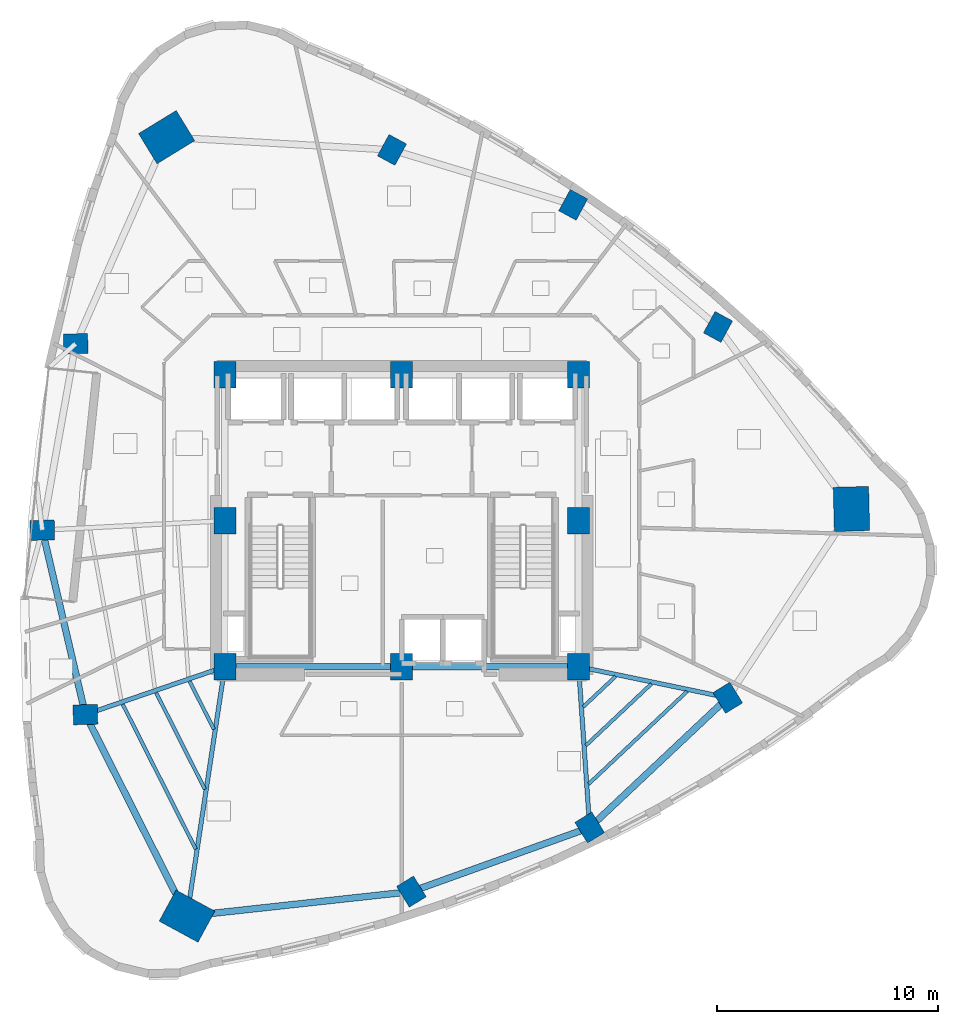
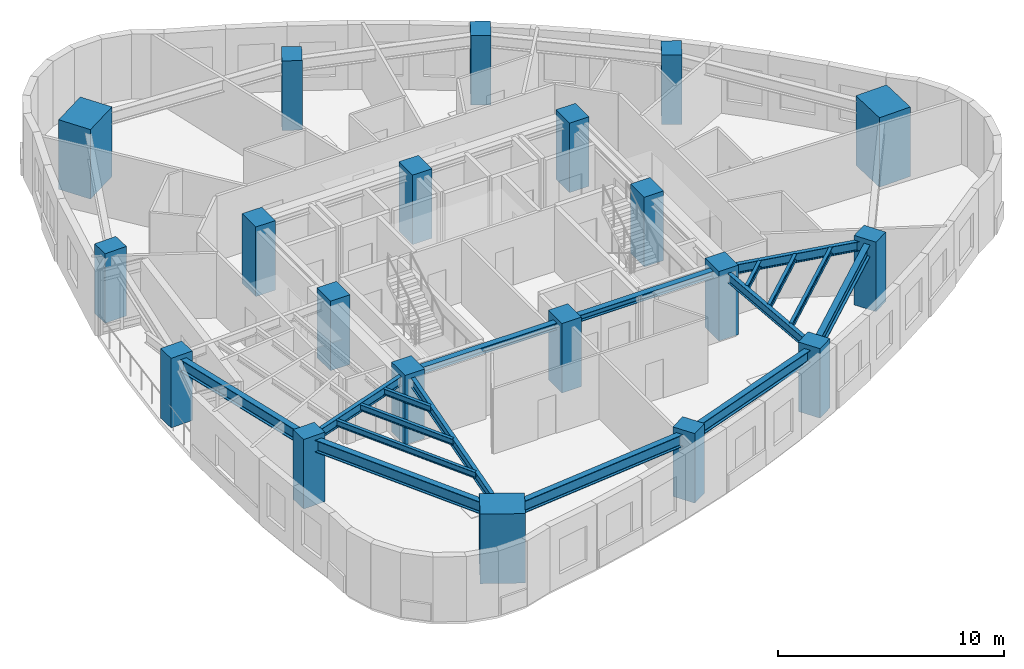
# One storey, part 1 of 12: 20 columns, 17 beams.
"""IFC4 building model written with IfcOpenShell, lengths in metres."""

from ifc_helpers import new_model, si_unit, direction, frame, origin, origin_2d, place, context, subcontext, project, spatial, rectangle, i_section, extrude, material, material_profile, profile_set, type_object, element, save


model = new_model("IFC4")

# Units and contexts
model_context = context("Model", 3, precision=1e-05, world=origin(), true_north=direction((0.0, 1.0)))
body_context = subcontext(model_context, "Body", "Model", "MODEL_VIEW")
ifc_project = project(units=[si_unit("LENGTHUNIT", "METRE"), si_unit("AREAUNIT", "SQUARE_METRE"), si_unit("VOLUMEUNIT", "CUBIC_METRE"), si_unit("PLANEANGLEUNIT", "RADIAN"), si_unit("MASSUNIT", "GRAM", prefix="KILO")], contexts=[model_context])

# Site, building, storey
site_placement = place(None, origin())
site = spatial("IfcSite", under=ifc_project, at=site_placement, CompositionType="ELEMENT")
building_placement = place(site_placement, origin())
building = spatial("IfcBuilding", under=site, at=building_placement, Name="Ndelora Gate Hotel", CompositionType="ELEMENT")
storey_placement = place(building_placement, frame((0.0, 0.0, 101.0)))
storey = spatial("IfcBuildingStorey", under=building, at=storey_placement, Name="L24", CompositionType="ELEMENT", Elevation=101.0)

# Columns
ifc_material_1 = material(Name="Concrete C60/75", Category="concrete")
ifc_material_profile_1 = material_profile(ifc_material_1, rectangle(XDim=1.0, YDim=1.199951171875, at=origin_2d()), Name="RC 1200x1000")
ifc_profile_set_1 = profile_set([ifc_material_profile_1], Name="Concrete C60/75")
column_type_1 = type_object("IfcColumnType", Name="COL-CC-MID", PredefinedType="COLUMN", material=ifc_profile_set_1)
for number, where, z_axis, x_axis, name in (
    (1, (-8.0, -6.60009765625, 0.0), (0.0, 0.0, 1.0), (1.0, 0.0, 0.0), "L24 Core Column CC1"),
    (2, (0.0, -6.60009765625, 0.0), (0.0, 0.0, 1.0), (1.0, 0.0, 0.0), "L24 Core Column CC2"),
    (3, (8.0, -6.60009765625, 0.0), (0.0, 0.0, 1.0), (1.0, 0.0, 0.0), "L24 Core Column CC3"),
    (4, (8.0, 0.0, 0.0), (0.0, 0.0, 1.0), (1.0, 0.0, 0.0), "L24 Core Column CC4"),
    (5, (8.0, 6.60009765625, 0.0), (0.0, 0.0, 1.0), (1.0, 0.0, 0.0), "L24 Core Column CC5"),
    (6, (0.0, 6.60009765625, 0.0), (0.0, 0.0, 1.0), (1.0, 0.0, 0.0), "L24 Core Column CC6"),
    (7, (-8.0, 6.60009765625, 0.0), (0.0, 0.0, 1.0), (1.0, 0.0, 0.0), "L24 Core Column CC7"),
    (8, (-8.0, 0.0, 0.0), (0.0, 0.0, 1.0), (1.0, 0.0, 0.0), "L24 Core Column CC8"),
):
    element("IfcColumn", number, at=place(storey_placement, frame(where, z_axis=z_axis, x_axis=x_axis)), inside=storey, type_object=column_type_1, Name=name, PredefinedType="COLUMN", context=body_context, shape_type="SweptSolid", body=[
        extrude(rectangle(XDim=1.0, YDim=1.199951171875, at=origin_2d()), origin(), (0.0, 0.0, 1.0), 3.75),
    ])
ifc_material_profile_2 = material_profile(ifc_material_1, rectangle(XDim=1.60009765625, YDim=2.0, at=origin_2d()), Name="RC 2000x1600")
ifc_profile_set_2 = profile_set([ifc_material_profile_2], Name="Concrete C60/75")
column_type_2 = type_object("IfcColumnType", Name="COL-MC-Z2", PredefinedType="COLUMN", material=ifc_profile_set_2)
for number, where, z_axis, x_axis, name in (
    (9, (-10.63330078125, 17.351806640625, 0.0), (0.0, 0.0, 1.0), (-0.522498564716, 0.852640164354, 0.0), "L24 Corner Mega-Column R1"),
    (10, (-9.71044921875, -17.884521484375, 0.0), (0.0, 0.0, 1.0), (0.47715876026, 0.878817112662, 0.0), "L24 Corner Mega-Column R5"),
    (11, (20.34375, 0.53271484375, 0.0), (0.0, 0.0, 1.0), (0.999657324976, 0.026176948308, 0.0), "L24 Corner Mega-Column R9"),
):
    element("IfcColumn", number, at=place(storey_placement, frame(where, z_axis=z_axis, x_axis=x_axis)), inside=storey, type_object=column_type_2, Name=name, PredefinedType="COLUMN", context=body_context, shape_type="SweptSolid", body=[
        extrude(rectangle(XDim=1.60009765625, YDim=2.0, at=origin_2d()), origin(), (0.0, 0.0, 1.0), 3.75),
    ])
ifc_material_profile_3 = material_profile(ifc_material_1, rectangle(XDim=0.89990234375, YDim=1.10009765625, at=origin_2d()), Name="RC 1100x900")
ifc_profile_set_3 = profile_set([ifc_material_profile_3], Name="Concrete C60/75")
column_type_3 = type_object("IfcColumnType", Name="COL-PT-Z2", PredefinedType="COLUMN", material=ifc_profile_set_3)
for number, where, z_axis, x_axis, name in (
    (12, (-14.74658203125, 8.006591796875, 0.0), (0.0, 0.0, 1.0), (-0.026176948308, 0.999657324976, 0.0), "L24 Perimeter Tube Column R2"),
    (13, (-16.25537109375, -0.42578125, 0.0), (0.0, 0.0, 1.0), (-0.026176948308, 0.999657324976, 0.0), "L24 Perimeter Tube Column R3"),
    (14, (-14.307373046875, -8.767578125, 0.0), (0.0, 0.0, 1.0), (-0.026176948308, 0.999657324976, 0.0), "L24 Perimeter Tube Column R4"),
    (15, (0.439208984375, -16.7744140625, 0.0), (0.0, 0.0, 1.0), (0.852640164354, 0.522498564716, 0.0), "L24 Perimeter Tube Column R6"),
    (16, (8.50439453125, -13.878173828125, 0.0), (0.0, 0.0, 1.0), (0.852640164354, 0.522498564716, 0.0), "L24 Perimeter Tube Column R7"),
    (17, (14.74658203125, -8.006591796875, 0.0), (0.0, 0.0, 1.0), (0.852640164354, 0.522498564716, 0.0), "L24 Perimeter Tube Column R8"),
    (18, (14.30712890625, 8.767333984375, 0.0), (0.0, 0.0, 1.0), (-0.878817112662, 0.47715876026, 0.0), "L24 Perimeter Tube Column R10"),
    (19, (7.759033203125, 14.290283203125, 0.0), (0.0, 0.0, 1.0), (-0.878817112662, 0.47715876026, 0.0), "L24 Perimeter Tube Column R11"),
    (20, (-0.439208984375, 16.7744140625, 0.0), (0.0, 0.0, 1.0), (-0.878817112662, 0.47715876026, 0.0), "L24 Perimeter Tube Column R12"),
):
    element("IfcColumn", number, at=place(storey_placement, frame(where, z_axis=z_axis, x_axis=x_axis)), inside=storey, type_object=column_type_3, Name=name, PredefinedType="COLUMN", context=body_context, shape_type="SweptSolid", body=[
        extrude(rectangle(XDim=0.89990234375, YDim=1.10009765625, at=origin_2d()), origin(), (0.0, 0.0, 1.0), 3.75),
    ])

# Beams
ifc_material_2 = material(Name="Steel S355", Category="steel")
ifc_material_profile_4 = material_profile(ifc_material_2, i_section(OverallWidth=0.300048828125, OverallDepth=0.360107421875, WebThickness=0.012451171875, FlangeThickness=0.0224609375, FilletRadius=0.027099609375, at=origin_2d()), Name="HEB 360")
ifc_profile_set_4 = profile_set([ifc_material_profile_4], Name="Steel S355")
beam_type_1 = type_object("IfcBeamType", Name="BM-CORE-360", PredefinedType="BEAM", material=ifc_profile_set_4)
for number, where, z_axis, x_axis, name in (
    (21, (-8.0, -6.60009765625, 3.320068359375), (1.0, 0.0, 0.0), (0.0, 1.0, 0.0), "L24 Core Tie Girder CC1-CC2"),
    (22, (0.0, -6.60009765625, 3.320068359375), (1.0, 0.0, 0.0), (0.0, 1.0, 0.0), "L24 Core Tie Girder CC2-CC3"),
):
    element("IfcBeam", number, at=place(storey_placement, frame(where, z_axis=z_axis, x_axis=x_axis)), inside=storey, type_object=beam_type_1, Name=name, PredefinedType="BEAM", context=body_context, shape_type="SweptSolid", body=[
        extrude(i_section(OverallWidth=0.300048828125, OverallDepth=0.360107421875, WebThickness=0.012451171875, FlangeThickness=0.0224609375, FilletRadius=0.027099609375, at=origin_2d()), origin(), (0.0, 0.0, 1.0), 8.0),
    ])
ifc_material_profile_5 = material_profile(ifc_material_2, i_section(OverallWidth=0.159912109375, OverallDepth=0.330078125, WebThickness=0.007568359375, FlangeThickness=0.011474609375, FilletRadius=0.01806640625, at=origin_2d()), Name="IPE 330")
ifc_profile_set_5 = profile_set([ifc_material_profile_5], Name="Steel S355")
beam_type_2 = type_object("IfcBeamType", Name="BM-JST-330", PredefinedType="JOIST", material=ifc_profile_set_5)
beam_1_placement = place(storey_placement, frame((-9.59033203125, -7.26171875, 3.3349609375), z_axis=(0.450139260243, -0.892958367668, 0.0), x_axis=(0.892958367668, 0.450139260243, 0.0)))
element("IfcBeam", 23, at=beam_1_placement, inside=storey, type_object=beam_type_2, Name="L24 Secondary Composite Floor Joist IN-4", PredefinedType="JOIST", context=body_context, shape_type="SweptSolid", body=[
    extrude(i_section(OverallWidth=0.159912109375, OverallDepth=0.330078125, WebThickness=0.007568359375, FlangeThickness=0.011474609375, FilletRadius=0.01806640625, at=origin_2d()), origin(), (0.0, 0.0, 1.0), 2.4345703125),
])
beam_2_placement = place(storey_placement, frame((-11.10400390625, -7.781982421875, 3.3349609375), z_axis=(0.450189724408, -0.892932926953, 0.0), x_axis=(0.892932926953, 0.450189724408, 0.0)))
element("IfcBeam", 24, at=beam_2_placement, inside=storey, type_object=beam_type_2, Name="L24 Secondary Composite Floor Joist MID-4", PredefinedType="JOIST", context=body_context, shape_type="SweptSolid", body=[
    extrude(i_section(OverallWidth=0.159912109375, OverallDepth=0.330078125, WebThickness=0.007568359375, FlangeThickness=0.011474609375, FilletRadius=0.01806640625, at=origin_2d()), origin(), (0.0, 0.0, 1.0), 4.885009765625),
])
beam_3_placement = place(storey_placement, frame((-12.617919921875, -8.30224609375, 3.3349609375), z_axis=(0.45023300903, -0.892911102843, 0.0), x_axis=(0.892911102843, 0.45023300903, 0.0)))
element("IfcBeam", 25, at=beam_3_placement, inside=storey, type_object=beam_type_2, Name="L24 Secondary Composite Floor Joist OUT-4", PredefinedType="JOIST", context=body_context, shape_type="SweptSolid", body=[
    extrude(i_section(OverallWidth=0.159912109375, OverallDepth=0.330078125, WebThickness=0.007568359375, FlangeThickness=0.011474609375, FilletRadius=0.01806640625, at=origin_2d()), origin(), (0.0, 0.0, 1.0), 7.335693359375),
])
beam_4_placement = place(storey_placement, frame((8.211181640625, -8.4169921875, 3.3349609375), z_axis=(0.728414088998, 0.685137150466, 0.0), x_axis=(-0.685137150466, 0.728414088998, 0.0)))
element("IfcBeam", 26, at=beam_4_placement, inside=storey, type_object=beam_type_2, Name="L24 Secondary Composite Floor Joist IN-7", PredefinedType="JOIST", context=body_context, shape_type="SweptSolid", body=[
    extrude(i_section(OverallWidth=0.159912109375, OverallDepth=0.330078125, WebThickness=0.007568359375, FlangeThickness=0.011474609375, FilletRadius=0.01806640625, at=origin_2d()), origin(), (0.0, 0.0, 1.0), 2.00830078125),
])
beam_5_placement = place(storey_placement, frame((8.33251953125, -10.163818359375, 3.3349609375), z_axis=(0.728369245526, 0.685184823366, 0.0), x_axis=(-0.685184823366, 0.728369245526, 0.0)))
element("IfcBeam", 27, at=beam_5_placement, inside=storey, type_object=beam_type_2, Name="L24 Secondary Composite Floor Joist MID-7", PredefinedType="JOIST", context=body_context, shape_type="SweptSolid", body=[
    extrude(i_section(OverallWidth=0.159912109375, OverallDepth=0.330078125, WebThickness=0.007568359375, FlangeThickness=0.011474609375, FilletRadius=0.01806640625, at=origin_2d()), origin(), (0.0, 0.0, 1.0), 4.06494140625),
])
beam_6_placement = place(storey_placement, frame((8.45361328125, -11.910400390625, 3.3349609375), z_axis=(0.728393161111, 0.68515939959, 0.0), x_axis=(-0.68515939959, 0.728393161111, 0.0)))
element("IfcBeam", 28, at=beam_6_placement, inside=storey, type_object=beam_type_2, Name="L24 Secondary Composite Floor Joist OUT-7", PredefinedType="JOIST", context=body_context, shape_type="SweptSolid", body=[
    extrude(i_section(OverallWidth=0.159912109375, OverallDepth=0.330078125, WebThickness=0.007568359375, FlangeThickness=0.011474609375, FilletRadius=0.01806640625, at=origin_2d()), origin(), (0.0, 0.0, 1.0), 6.121337890625),
])
ifc_material_profile_6 = material_profile(ifc_material_2, i_section(OverallWidth=0.199951171875, OverallDepth=0.5, WebThickness=0.01025390625, FlangeThickness=0.01611328125, FilletRadius=0.02099609375, at=origin_2d()), Name="IPE 500")
ifc_profile_set_6 = profile_set([ifc_material_profile_6], Name="Steel S355")
beam_type_3 = type_object("IfcBeamType", Name="BM-RAD-500", PredefinedType="BEAM", material=ifc_profile_set_6)
beam_7_placement = place(storey_placement, frame((-8.0, -6.60009765625, 3.25), z_axis=(-0.945717893913, -0.324988715392, 0.0), x_axis=(0.324988715392, -0.945717893913, 0.0)))
element("IfcBeam", 29, at=beam_7_placement, inside=storey, type_object=beam_type_3, Name="L24 Radial Floor Girder 4", PredefinedType="BEAM", context=body_context, shape_type="SweptSolid", body=[
    extrude(i_section(OverallWidth=0.199951171875, OverallDepth=0.5, WebThickness=0.01025390625, FlangeThickness=0.01611328125, FilletRadius=0.02099609375, at=origin_2d()), origin(), (0.0, 0.0, 1.0), 6.66943359375),
])
beam_8_placement = place(storey_placement, frame((-8.0, -6.60009765625, 3.25), z_axis=(-0.149864309615, -0.988706573612, 0.0), x_axis=(0.988706573612, -0.149864309615, 0.0)))
element("IfcBeam", 30, at=beam_8_placement, inside=storey, type_object=beam_type_3, Name="L24 Radial Floor Girder 5", PredefinedType="BEAM", context=body_context, shape_type="SweptSolid", body=[
    extrude(i_section(OverallWidth=0.199951171875, OverallDepth=0.5, WebThickness=0.01025390625, FlangeThickness=0.01611328125, FilletRadius=0.02099609375, at=origin_2d()), origin(), (0.0, 0.0, 1.0), 11.413330078125),
])
beam_9_placement = place(storey_placement, frame((8.0, -6.60009765625, 3.25), z_axis=(0.069137444551, -0.997607144001, 0.0), x_axis=(0.997607144001, 0.069137444551, 0.0)))
element("IfcBeam", 31, at=beam_9_placement, inside=storey, type_object=beam_type_3, Name="L24 Radial Floor Girder 7", PredefinedType="BEAM", context=body_context, shape_type="SweptSolid", body=[
    extrude(i_section(OverallWidth=0.199951171875, OverallDepth=0.5, WebThickness=0.01025390625, FlangeThickness=0.01611328125, FilletRadius=0.02099609375, at=origin_2d()), origin(), (0.0, 0.0, 1.0), 7.295654296875),
])
beam_10_placement = place(storey_placement, frame((8.0, -6.60009765625, 3.25), z_axis=(0.978952706778, -0.204087231083, 0.0), x_axis=(0.204087231083, 0.978952706778, 0.0)))
element("IfcBeam", 32, at=beam_10_placement, inside=storey, type_object=beam_type_3, Name="L24 Radial Floor Girder 8", PredefinedType="BEAM", context=body_context, shape_type="SweptSolid", body=[
    extrude(i_section(OverallWidth=0.199951171875, OverallDepth=0.5, WebThickness=0.01025390625, FlangeThickness=0.01611328125, FilletRadius=0.02099609375, at=origin_2d()), origin(), (0.0, 0.0, 1.0), 6.8916015625),
])
ifc_material_profile_7 = material_profile(ifc_material_2, i_section(OverallWidth=0.300048828125, OverallDepth=0.64990234375, WebThickness=0.01611328125, FlangeThickness=0.031005859375, FilletRadius=0.027099609375, at=origin_2d()), Name="HEB 650")
ifc_profile_set_7 = profile_set([ifc_material_profile_7], Name="Steel S355")
beam_type_4 = type_object("IfcBeamType", Name="BM-RING-650", PredefinedType="SPANDREL", material=ifc_profile_set_7)
beam_11_placement = place(storey_placement, frame((-16.25537109375, -0.42578125, 3.175048828125), z_axis=(0.227404398157, -0.973800410607, 0.0), x_axis=(0.973800410607, 0.227404398157, 0.0)))
element("IfcBeam", 33, at=beam_11_placement, inside=storey, type_object=beam_type_4, Name="L24 Perimeter Spandrel Girder 3", PredefinedType="SPANDREL", context=body_context, shape_type="SweptSolid", body=[
    extrude(i_section(OverallWidth=0.300048828125, OverallDepth=0.64990234375, WebThickness=0.01611328125, FlangeThickness=0.031005859375, FilletRadius=0.027099609375, at=origin_2d()), origin(), (0.0, 0.0, 1.0), 8.566162109375),
])
for number, where, z_axis, x_axis, name in (
    (34, (-14.307373046875, -8.767578125, 3.175048828125), (0.450223868811, -0.892915711561, 0.0), (0.892915711561, 0.450223868811, 0.0), "L24 Perimeter Spandrel Girder 4"),
    (35, (-9.71044921875, -17.884521484375, 3.175048828125), (0.994071812898, 0.108725483685, 0.0), (-0.108725483685, 0.994071812898, 0.0), "L24 Perimeter Spandrel Girder 5"),
):
    element("IfcBeam", number, at=place(storey_placement, frame(where, z_axis=z_axis, x_axis=x_axis)), inside=storey, type_object=beam_type_4, Name=name, PredefinedType="SPANDREL", context=body_context, shape_type="SweptSolid", body=[
        extrude(i_section(OverallWidth=0.300048828125, OverallDepth=0.64990234375, WebThickness=0.01611328125, FlangeThickness=0.031005859375, FilletRadius=0.027099609375, at=origin_2d()), origin(), (0.0, 0.0, 1.0), 10.210205078125),
    ])
beam_12_placement = place(storey_placement, frame((0.439208984375, -16.7744140625, 3.175048828125), z_axis=(0.941155870835, 0.337972819607, 0.0), x_axis=(-0.337972819607, 0.941155870835, 0.0)))
element("IfcBeam", 36, at=beam_12_placement, inside=storey, type_object=beam_type_4, Name="L24 Perimeter Spandrel Girder 6", PredefinedType="SPANDREL", context=body_context, shape_type="SweptSolid", body=[
    extrude(i_section(OverallWidth=0.300048828125, OverallDepth=0.64990234375, WebThickness=0.01611328125, FlangeThickness=0.031005859375, FilletRadius=0.027099609375, at=origin_2d()), origin(), (0.0, 0.0, 1.0), 8.5693359375),
])
beam_13_placement = place(storey_placement, frame((8.50439453125, -13.878173828125, 3.175048828125), z_axis=(0.728399016952, 0.68515317419, 0.0), x_axis=(-0.68515317419, 0.728399016952, 0.0)))
element("IfcBeam", 37, at=beam_13_placement, inside=storey, type_object=beam_type_4, Name="L24 Perimeter Spandrel Girder 7", PredefinedType="SPANDREL", context=body_context, shape_type="SweptSolid", body=[
    extrude(i_section(OverallWidth=0.300048828125, OverallDepth=0.64990234375, WebThickness=0.01611328125, FlangeThickness=0.031005859375, FilletRadius=0.027099609375, at=origin_2d()), origin(), (0.0, 0.0, 1.0), 8.56982421875),
])

save(model, "model.ifc")
